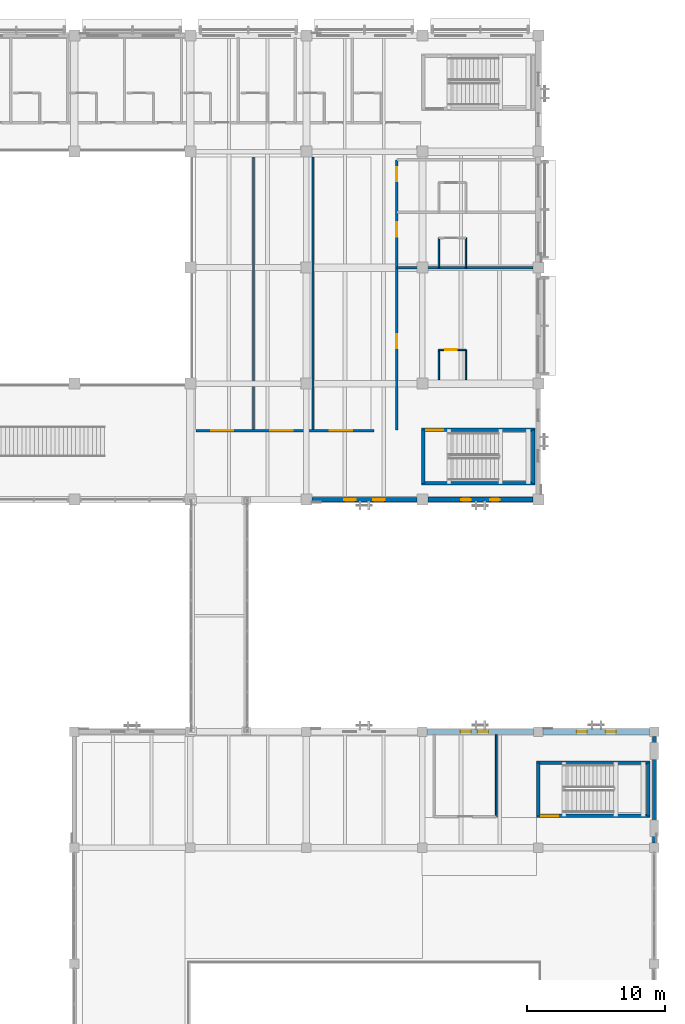
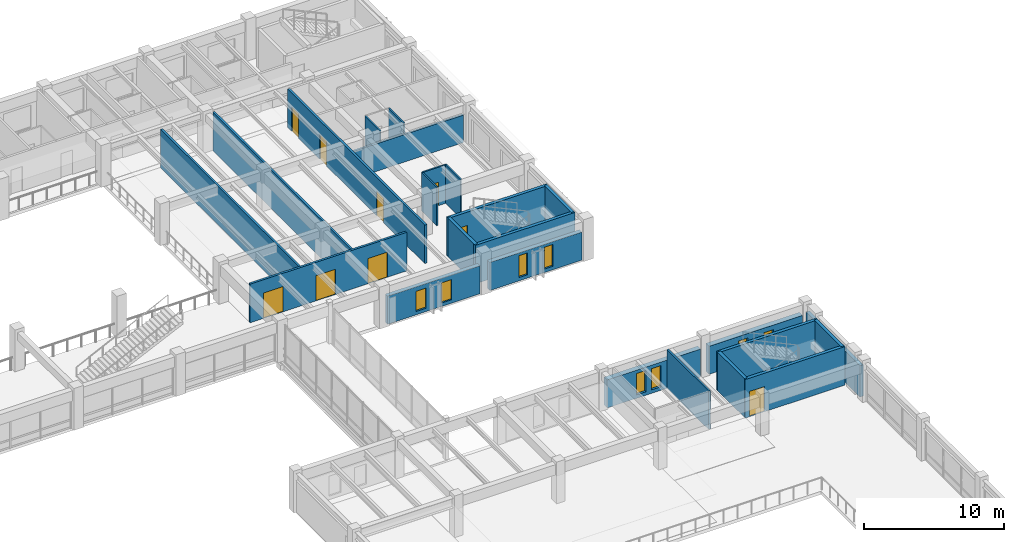
# One storey, part 80 of 118: 24 walls, 9 doors, 8 windows, 17 openings.
"""IFC4 building model written with IfcOpenShell, lengths in metres."""

from ifc_helpers import new_model, si_unit, direction, frame, frame_2d, origin, place, context, subcontext, project, spatial, rectangle, extrude, material, layer, layer_set, type_object, element, fill, save


model = new_model("IFC4")

# Units and contexts
model_context = context("Model", 3, precision=1e-05, world=origin(), true_north=direction((0.0, 1.0)))
body_context = subcontext(model_context, "Body", "Model", "MODEL_VIEW")
ifc_project = project(units=[si_unit("LENGTHUNIT", "METRE"), si_unit("AREAUNIT", "SQUARE_METRE"), si_unit("VOLUMEUNIT", "CUBIC_METRE"), si_unit("PLANEANGLEUNIT", "RADIAN"), si_unit("MASSUNIT", "GRAM", prefix="KILO")], contexts=[model_context])

# Site, building, storey
site_placement = place(None, origin())
site = spatial("IfcSite", under=ifc_project, at=site_placement, CompositionType="ELEMENT")
building_placement = place(site_placement, origin())
building = spatial("IfcBuilding", under=site, at=building_placement, Name="Cumbredor Promenade Congress Hotel", CompositionType="ELEMENT")
storey_placement = place(building_placement, frame((0.0, 0.0, 3.919921875)))
storey = spatial("IfcBuildingStorey", under=building, at=storey_placement, Name="L01", CompositionType="ELEMENT", Elevation=3.919921875)

# Wall, opening, door
ifc_material_1 = material(Name="Moisture-resistant gypsum board on steel studs", Category="steel")
ifc_layer_1 = layer(ifc_material_1, 0.114990234375, Name="Moisture-resistant gypsum board on steel studs", Category="steel")
ifc_layer_set_1 = layer_set([ifc_layer_1], Name="Moisture-resistant gypsum board on steel studs")
wall_type_1 = type_object("IfcWallType", Name="WL-BATH-115", PredefinedType="PARTITIONING", material=ifc_layer_set_1)
wall_1_placement = place(storey_placement, frame((169.199951171875, 94.85009765625, 0.0), z_axis=(0.0, 0.0, 1.0), x_axis=(1.0, 0.0, 0.0)))
wall_1 = element("IfcWall", 1, at=wall_1_placement, inside=storey, type_object=wall_type_1, Name="L01 Interior Partition W-L01-FEBH-E0101", PredefinedType="PARTITIONING", context=body_context, shape_type="SweptSolid", body=[
    extrude(rectangle(XDim=1.949951171875, YDim=0.114990234375, at=frame_2d((0.97509765625, 0.0))), origin(), (0.0, 0.0, 1.0), 3.360107421875),
])
opening_1_placement = place(wall_1_placement, frame((0.449951171875, 0.0, 0.0)))
opening_1 = element("IfcOpeningElement", 2, at=opening_1_placement, cuts=wall_1, Name="Opening ID-01", PredefinedType="OPENING", context=body_context, shape_type="SweptSolid", body=[
    extrude(rectangle(XDim=0.860107421875, YDim=2.050048828125, at=frame_2d((0.43017578125, 1.02490234375))), frame((0.0, 0.0673828125, 0.0), z_axis=(0.0, -1.0, 0.0), x_axis=(1.0, 0.0, 0.0)), (0.0, 0.0, 1.0), 0.135009765625),
])
ifc_material_2 = material(Name="Kiln-dried tropical hardwood", Category="wood")
door_type_1 = type_object("IfcDoorType", Name="DR-BATH-860", OperationType="NOTDEFINED", PredefinedType="DOOR", material=ifc_material_2)
door_1_placement = place(opening_1_placement, origin())
door_1 = element("IfcDoor", 3, at=door_1_placement, inside=storey, type_object=door_type_1, Name="L01 Interior Door W-L01-FEBH-E0101-01", OperationType="SINGLE_SWING_LEFT", OverallHeight=2.050048828125, OverallWidth=0.860107421875, PredefinedType="DOOR", context=body_context, shape_type="SweptSolid", body=[
    extrude(rectangle(XDim=0.860107421875, YDim=2.050048828125, at=frame_2d((0.43017578125, 1.02490234375))), frame((0.0, 0.02490234375, 0.0), z_axis=(0.0, -1.0, 0.0), x_axis=(1.0, 0.0, 0.0)), (0.0, 0.0, 1.0), 0.050048828125),
])
fill(opening_1, door_1)

# Walls
for number, where, z_axis, x_axis, name in (
    (4, (169.199951171875, 92.699951171875, 0.0), (0.0, 0.0, 1.0), (0.0, 1.0, 0.0), "L01 Interior Partition W-L01-FEBV1-E0101"),
    (5, (171.14990234375, 92.699951171875, 0.0), (0.0, 0.0, 1.0), (0.0, 1.0, 0.0), "L01 Interior Partition W-L01-FEBV2-E0101"),
):
    element("IfcWall", number, at=place(storey_placement, frame(where, z_axis=z_axis, x_axis=x_axis)), inside=storey, type_object=wall_type_1, Name=name, PredefinedType="PARTITIONING", context=body_context, shape_type="SweptSolid", body=[
        extrude(rectangle(XDim=2.150146484375, YDim=0.114990234375, at=frame_2d((1.0751953125, 0.0))), origin(), (0.0, 0.0, 1.0), 3.360107421875),
    ])
for number, where, z_axis, x_axis, name in (
    (6, (169.199951171875, 100.800048828125, 0.0), (0.0, 0.0, 1.0), (0.0, 1.0, 0.0), "L01 Interior Partition W-L01-FEBV1-E0102"),
    (7, (171.14990234375, 100.800048828125, 0.0), (0.0, 0.0, 1.0), (0.0, 1.0, 0.0), "L01 Interior Partition W-L01-FEBV2-E0102"),
):
    element("IfcWall", number, at=place(storey_placement, frame(where, z_axis=z_axis, x_axis=x_axis)), inside=storey, type_object=wall_type_1, Name=name, PredefinedType="PARTITIONING", context=body_context, shape_type="SweptSolid", body=[
        extrude(rectangle(XDim=2.14990234375, YDim=0.114990234375, at=frame_2d((1.074951171875, 0.0))), origin(), (0.0, 0.0, 1.0), 3.360107421875),
    ])

# Wall, openings, doors
ifc_material_3 = material(Name="Fire-rated hotel corridor wall")
ifc_layer_2 = layer(ifc_material_3, 0.179931640625, Name="Fire-rated hotel corridor wall")
ifc_layer_set_2 = layer_set([ifc_layer_2], Name="Fire-rated hotel corridor wall")
wall_type_2 = type_object("IfcWallType", Name="WL-CORR-180", PredefinedType="PARTITIONING", material=ifc_layer_set_2)
wall_2_placement = place(storey_placement, frame((151.60009765625, 89.0, 0.0), z_axis=(0.0, 0.0, 1.0), x_axis=(1.0, 0.0, 0.0)))
wall_2 = element("IfcWall", 8, at=wall_2_placement, inside=storey, type_object=wall_type_2, Name="L01 Interior Partition W-L01-V4-ES", PredefinedType="PARTITIONING", context=body_context, shape_type="SweptSolid", body=[
    extrude(rectangle(XDim=12.89990234375, YDim=0.179931640625, at=frame_2d((6.449951171875, 0.0))), origin(), (0.0, 0.0, 1.0), 3.360107421875),
])
opening_2_placement = place(wall_2_placement, frame((1.10009765625, 0.0, 0.0)))
opening_2 = element("IfcOpeningElement", 9, at=opening_2_placement, cuts=wall_2, Name="Opening FD-08", PredefinedType="OPENING", context=body_context, shape_type="SweptSolid", body=[
    extrude(rectangle(XDim=1.6201171875, YDim=2.199951171875, at=frame_2d((0.81005859375, 1.10009765625))), frame((0.0, 0.10009765625, 0.0), z_axis=(0.0, -1.0, 0.0), x_axis=(1.0, 0.0, 0.0)), (0.0, 0.0, 1.0), 0.199951171875),
])
opening_3_placement = place(wall_2_placement, frame((5.39990234375, 0.0, 0.0)))
opening_3 = element("IfcOpeningElement", 10, at=opening_3_placement, cuts=wall_2, Name="Opening FD-08", PredefinedType="OPENING", context=body_context, shape_type="SweptSolid", body=[
    extrude(rectangle(XDim=1.6201171875, YDim=2.199951171875, at=frame_2d((0.81005859375, 1.10009765625))), frame((0.0, 0.10009765625, 0.0), z_axis=(0.0, -1.0, 0.0), x_axis=(1.0, 0.0, 0.0)), (0.0, 0.0, 1.0), 0.199951171875),
])
opening_4_placement = place(wall_2_placement, frame((9.699951171875, 0.0, 0.0)))
opening_4 = element("IfcOpeningElement", 11, at=opening_4_placement, cuts=wall_2, Name="Opening FD-08", PredefinedType="OPENING", context=body_context, shape_type="SweptSolid", body=[
    extrude(rectangle(XDim=1.6201171875, YDim=2.199951171875, at=frame_2d((0.81005859375, 1.10009765625))), frame((0.0, 0.10009765625, 0.0), z_axis=(0.0, -1.0, 0.0), x_axis=(1.0, 0.0, 0.0)), (0.0, 0.0, 1.0), 0.199951171875),
])
ifc_material_4 = material(Name="Solid-core fire-rated tropical hardwood", Category="wood")
door_type_2 = type_object("IfcDoorType", Name="DR-DBL-FD60-1600", OperationType="DOUBLE_DOOR_SINGLE_SWING", PredefinedType="DOOR", material=ifc_material_4)
door_2_placement = place(opening_2_placement, origin())
door_2 = element("IfcDoor", 12, at=door_2_placement, inside=storey, type_object=door_type_2, Name="L01 Interior Door W-L01-V4-ES-01", OperationType="DOUBLE_DOOR_SINGLE_SWING", OverallHeight=2.199951171875, OverallWidth=1.6201171875, PredefinedType="DOOR", context=body_context, shape_type="SweptSolid", body=[
    extrude(rectangle(XDim=1.6201171875, YDim=2.199951171875, at=frame_2d((0.81005859375, 1.10009765625))), frame((0.0, 0.02490234375, 0.0), z_axis=(0.0, -1.0, 0.0), x_axis=(1.0, 0.0, 0.0)), (0.0, 0.0, 1.0), 0.050048828125),
])
fill(opening_2, door_2)
door_3_placement = place(opening_3_placement, origin())
door_3 = element("IfcDoor", 13, at=door_3_placement, inside=storey, type_object=door_type_2, Name="L01 Interior Door W-L01-V4-ES-02", OperationType="DOUBLE_DOOR_SINGLE_SWING", OverallHeight=2.199951171875, OverallWidth=1.6201171875, PredefinedType="DOOR", context=body_context, shape_type="SweptSolid", body=[
    extrude(rectangle(XDim=1.6201171875, YDim=2.199951171875, at=frame_2d((0.81005859375, 1.10009765625))), frame((0.0, 0.02490234375, 0.0), z_axis=(0.0, -1.0, 0.0), x_axis=(1.0, 0.0, 0.0)), (0.0, 0.0, 1.0), 0.050048828125),
])
fill(opening_3, door_3)
door_4_placement = place(opening_4_placement, origin())
door_4 = element("IfcDoor", 14, at=door_4_placement, inside=storey, type_object=door_type_2, Name="L01 Interior Door W-L01-V4-ES-03", OperationType="DOUBLE_DOOR_SINGLE_SWING", OverallHeight=2.199951171875, OverallWidth=1.6201171875, PredefinedType="DOOR", context=body_context, shape_type="SweptSolid", body=[
    extrude(rectangle(XDim=1.6201171875, YDim=2.199951171875, at=frame_2d((0.81005859375, 1.10009765625))), frame((0.0, 0.02490234375, 0.0), z_axis=(0.0, -1.0, 0.0), x_axis=(1.0, 0.0, 0.0)), (0.0, 0.0, 1.0), 0.050048828125),
])
fill(opening_4, door_4)

wall_3_placement = place(storey_placement, frame((166.14990234375, 89.050048828125, 0.0), z_axis=(0.0, 0.0, 1.0), x_axis=(0.0, 1.0, 0.0)))
wall_3 = element("IfcWall", 15, at=wall_3_placement, inside=storey, type_object=wall_type_2, Name="L01 Interior Partition W-L01-FECORRW", PredefinedType="PARTITIONING", context=body_context, shape_type="SweptSolid", body=[
    extrude(rectangle(XDim=19.550048828125, YDim=0.179931640625, at=frame_2d((9.77490234375, 0.0))), origin(), (0.0, 0.0, 1.0), 3.360107421875),
])
opening_5_placement = place(wall_3_placement, frame((5.89990234375, 0.0, 0.0)))
opening_5 = element("IfcOpeningElement", 16, at=opening_5_placement, cuts=wall_3, Name="Opening FD-02", PredefinedType="OPENING", context=body_context, shape_type="SweptSolid", body=[
    extrude(rectangle(XDim=1.02001953125, YDim=2.14990234375, at=frame_2d((0.510009765625, 1.074951171875))), frame((0.0, 0.10009765625, 0.0), z_axis=(0.0, -1.0, 0.0), x_axis=(1.0, 0.0, 0.0)), (0.0, 0.0, 1.0), 0.199951171875),
])
opening_6_placement = place(wall_3_placement, frame((14.0, 0.0, 0.0)))
opening_6 = element("IfcOpeningElement", 17, at=opening_6_placement, cuts=wall_3, Name="Opening FD-02", PredefinedType="OPENING", context=body_context, shape_type="SweptSolid", body=[
    extrude(rectangle(XDim=1.02001953125, YDim=2.14990234375, at=frame_2d((0.510009765625, 1.074951171875))), frame((0.0, 0.10009765625, 0.0), z_axis=(0.0, -1.0, 0.0), x_axis=(1.0, 0.0, 0.0)), (0.0, 0.0, 1.0), 0.199951171875),
])
opening_7_placement = place(wall_3_placement, frame((18.0, 0.0, 0.0)))
opening_7 = element("IfcOpeningElement", 18, at=opening_7_placement, cuts=wall_3, Name="Opening FD-02", PredefinedType="OPENING", context=body_context, shape_type="SweptSolid", body=[
    extrude(rectangle(XDim=1.02001953125, YDim=2.14990234375, at=frame_2d((0.510009765625, 1.074951171875))), frame((0.0, 0.10009765625, 0.0), z_axis=(0.0, -1.0, 0.0), x_axis=(1.0, 0.0, 0.0)), (0.0, 0.0, 1.0), 0.199951171875),
])
door_type_3 = type_object("IfcDoorType", Name="DR-GUEST-FD30-1000", OperationType="NOTDEFINED", PredefinedType="DOOR", material=ifc_material_4)
door_5_placement = place(opening_5_placement, origin())
door_5 = element("IfcDoor", 19, at=door_5_placement, inside=storey, type_object=door_type_3, Name="L01 Interior Door W-L01-FECORRW-01", OperationType="SINGLE_SWING_RIGHT", OverallHeight=2.14990234375, OverallWidth=1.02001953125, PredefinedType="DOOR", context=body_context, shape_type="SweptSolid", body=[
    extrude(rectangle(XDim=1.02001953125, YDim=2.14990234375, at=frame_2d((0.510009765625, 1.074951171875))), frame((0.0, 0.02490234375, 0.0), z_axis=(0.0, -1.0, 0.0), x_axis=(1.0, 0.0, 0.0)), (0.0, 0.0, 1.0), 0.050048828125),
])
fill(opening_5, door_5)
door_6_placement = place(opening_6_placement, origin())
door_6 = element("IfcDoor", 20, at=door_6_placement, inside=storey, type_object=door_type_3, Name="L01 Interior Door W-L01-FECORRW-02", OperationType="SINGLE_SWING_LEFT", OverallHeight=2.14990234375, OverallWidth=1.02001953125, PredefinedType="DOOR", context=body_context, shape_type="SweptSolid", body=[
    extrude(rectangle(XDim=1.02001953125, YDim=2.14990234375, at=frame_2d((0.510009765625, 1.074951171875))), frame((0.0, 0.02490234375, 0.0), z_axis=(0.0, -1.0, 0.0), x_axis=(1.0, 0.0, 0.0)), (0.0, 0.0, 1.0), 0.050048828125),
])
fill(opening_6, door_6)
door_7_placement = place(opening_7_placement, origin())
door_7 = element("IfcDoor", 21, at=door_7_placement, inside=storey, type_object=door_type_3, Name="L01 Interior Door W-L01-FECORRW-03", OperationType="SINGLE_SWING_RIGHT", OverallHeight=2.14990234375, OverallWidth=1.02001953125, PredefinedType="DOOR", context=body_context, shape_type="SweptSolid", body=[
    extrude(rectangle(XDim=1.02001953125, YDim=2.14990234375, at=frame_2d((0.510009765625, 1.074951171875))), frame((0.0, 0.02490234375, 0.0), z_axis=(0.0, -1.0, 0.0), x_axis=(1.0, 0.0, 0.0)), (0.0, 0.0, 1.0), 0.050048828125),
])
fill(opening_7, door_7)

# Wall
ifc_material_5 = material(Name="Concrete C40/50", Category="concrete")
ifc_layer_3 = layer(ifc_material_5, 0.280029296875, Name="Concrete C40/50", Category="concrete")
ifc_layer_set_3 = layer_set([ifc_layer_3], Name="Concrete C40/50")
wall_type_3 = type_object("IfcWallType", Name="WL-EXT-280", PredefinedType="SOLIDWALL", material=ifc_layer_set_3)
wall_4_placement = place(storey_placement, frame((184.800048828125, 59.15087890625, 0.0), z_axis=(0.0, 0.0, 1.0), x_axis=(0.0, 1.0, 0.0)))
element("IfcWall", 22, at=wall_4_placement, inside=storey, type_object=wall_type_3, Name="L01 Grand Ballroom Pavilion East Envelope Wall 7", PredefinedType="SOLIDWALL", context=body_context, shape_type="SweptSolid", body=[
    extrude(rectangle(XDim=7.6982421875, YDim=0.280029296875, at=frame_2d((3.84912109375, 0.0))), origin(), (0.0, 0.0, 1.0), 2.734130859375),
])

# Wall, openings, windows
ifc_layer_4 = layer(ifc_material_5, 0.324951171875, Name="Concrete C40/50", Category="concrete")
ifc_layer_set_4 = layer_set([ifc_layer_4], Name="Concrete C40/50")
wall_type_4 = type_object("IfcWallType", Name="WL-EXT-325", PredefinedType="SOLIDWALL", material=ifc_layer_set_4)
wall_5_placement = place(storey_placement, frame((160.0009765625, 84.0, 0.0), z_axis=(0.0, 0.0, 1.0), x_axis=(1.0, 0.0, 0.0)))
wall_5 = element("IfcWall", 23, at=wall_5_placement, inside=storey, type_object=wall_type_4, Name="L01 Pre-Function and Breakout Meeting Forum South Envelope Wall 9", PredefinedType="SOLIDWALL", context=body_context, shape_type="SweptSolid", body=[
    extrude(rectangle(XDim=7.59814453125, YDim=0.324951171875, at=frame_2d((3.799072265625, 0.0))), origin(), (0.0, 0.0, 1.0), 2.445068359375),
])
opening_8_placement = place(wall_5_placement, frame((2.3291015625, 0.0, 0.300048828125)))
opening_8 = element("IfcOpeningElement", 24, at=opening_8_placement, cuts=wall_5, Name="Opening WN-62", PredefinedType="OPENING", context=body_context, shape_type="SweptSolid", body=[
    extrude(rectangle(XDim=0.840087890625, YDim=1.75, at=frame_2d((0.419921875, 0.875))), frame((0.0, 0.17236328125, 0.0), z_axis=(0.0, -1.0, 0.0), x_axis=(1.0, 0.0, 0.0)), (0.0, 0.0, 1.0), 0.344970703125),
])
opening_9_placement = place(wall_5_placement, frame((4.428955078125, 0.0, 0.300048828125)))
opening_9 = element("IfcOpeningElement", 25, at=opening_9_placement, cuts=wall_5, Name="Opening WN-62", PredefinedType="OPENING", context=body_context, shape_type="SweptSolid", body=[
    extrude(rectangle(XDim=0.840087890625, YDim=1.75, at=frame_2d((0.419921875, 0.875))), frame((0.0, 0.17236328125, 0.0), z_axis=(0.0, -1.0, 0.0), x_axis=(1.0, 0.0, 0.0)), (0.0, 0.0, 1.0), 0.344970703125),
])
ifc_material_6 = material(Name="Thermally broken anodized aluminium and low-E glass", Category="aluminium")
window_type_1 = type_object("IfcWindowType", Name="Vertical Slot Window WN-62 840x1750", PartitioningType="SINGLE_PANEL", PredefinedType="WINDOW", material=ifc_material_6)
window_1_placement = place(opening_8_placement, origin())
window_1 = element("IfcWindow", 26, at=window_1_placement, inside=storey, type_object=window_type_1, Name="L01 Vertical Slot Window 0153", OverallHeight=1.75, OverallWidth=0.840087890625, PartitioningType="SINGLE_PANEL", PredefinedType="WINDOW", context=body_context, shape_type="SweptSolid", body=[
    extrude(rectangle(XDim=0.840087890625, YDim=1.75, at=frame_2d((0.419921875, 0.875))), frame((0.0, 0.030029296875, 0.0), z_axis=(0.0, -1.0, 0.0), x_axis=(1.0, 0.0, 0.0)), (0.0, 0.0, 1.0), 0.06005859375),
])
fill(opening_8, window_1)
window_2_placement = place(opening_9_placement, origin())
window_2 = element("IfcWindow", 27, at=window_2_placement, inside=storey, type_object=window_type_1, Name="L01 Vertical Slot Window 0154", OverallHeight=1.75, OverallWidth=0.840087890625, PartitioningType="SINGLE_PANEL", PredefinedType="WINDOW", context=body_context, shape_type="SweptSolid", body=[
    extrude(rectangle(XDim=0.840087890625, YDim=1.75, at=frame_2d((0.419921875, 0.875))), frame((0.0, 0.030029296875, 0.0), z_axis=(0.0, -1.0, 0.0), x_axis=(1.0, 0.0, 0.0)), (0.0, 0.0, 1.0), 0.06005859375),
])
fill(opening_9, window_2)

ifc_layer_5 = layer(ifc_material_5, 0.35009765625, Name="Concrete C40/50", Category="concrete")
ifc_layer_set_5 = layer_set([ifc_layer_5], Name="Concrete C40/50")
wall_type_5 = type_object("IfcWallType", Name="WL-EXT-350", PredefinedType="SOLIDWALL", material=ifc_layer_set_5)
wall_6_placement = place(storey_placement, frame((168.40087890625, 84.0, 0.0), z_axis=(0.0, 0.0, 1.0), x_axis=(1.0, 0.0, 0.0)))
wall_6 = element("IfcWall", 28, at=wall_6_placement, inside=storey, type_object=wall_type_5, Name="L01 Pre-Function and Breakout Meeting Forum South Envelope Wall 10", PredefinedType="SOLIDWALL", context=body_context, shape_type="SweptSolid", body=[
    extrude(rectangle(XDim=7.59814453125, YDim=0.35009765625, at=frame_2d((3.799072265625, 0.0))), origin(), (0.0, 0.0, 1.0), 2.445068359375),
])
opening_10_placement = place(wall_6_placement, frame((2.39892578125, 0.0, 0.300048828125)))
opening_10 = element("IfcOpeningElement", 29, at=opening_10_placement, cuts=wall_6, Name="Opening WN-65", PredefinedType="OPENING", context=body_context, shape_type="SweptSolid", body=[
    extrude(rectangle(XDim=0.699951171875, YDim=1.89990234375, at=frame_2d((0.35009765625, 0.949951171875))), frame((0.0, 0.18505859375, 0.0), z_axis=(0.0, -1.0, 0.0), x_axis=(1.0, 0.0, 0.0)), (0.0, 0.0, 1.0), 0.3701171875),
])
opening_11_placement = place(wall_6_placement, frame((4.4990234375, 0.0, 0.300048828125)))
opening_11 = element("IfcOpeningElement", 30, at=opening_11_placement, cuts=wall_6, Name="Opening WN-65", PredefinedType="OPENING", context=body_context, shape_type="SweptSolid", body=[
    extrude(rectangle(XDim=0.699951171875, YDim=1.89990234375, at=frame_2d((0.35009765625, 0.949951171875))), frame((0.0, 0.18505859375, 0.0), z_axis=(0.0, -1.0, 0.0), x_axis=(1.0, 0.0, 0.0)), (0.0, 0.0, 1.0), 0.3701171875),
])
window_type_2 = type_object("IfcWindowType", Name="Vertical Slot Window WN-65 700x1900", PartitioningType="SINGLE_PANEL", PredefinedType="WINDOW", material=ifc_material_6)
window_3_placement = place(opening_10_placement, origin())
window_3 = element("IfcWindow", 31, at=window_3_placement, inside=storey, type_object=window_type_2, Name="L01 Vertical Slot Window 0155", OverallHeight=1.89990234375, OverallWidth=0.699951171875, PartitioningType="SINGLE_PANEL", PredefinedType="WINDOW", context=body_context, shape_type="SweptSolid", body=[
    extrude(rectangle(XDim=0.699951171875, YDim=1.89990234375, at=frame_2d((0.35009765625, 0.949951171875))), frame((0.0, 0.030029296875, 0.0), z_axis=(0.0, -1.0, 0.0), x_axis=(1.0, 0.0, 0.0)), (0.0, 0.0, 1.0), 0.06005859375),
])
fill(opening_10, window_3)
window_4_placement = place(opening_11_placement, origin())
window_4 = element("IfcWindow", 32, at=window_4_placement, inside=storey, type_object=window_type_2, Name="L01 Vertical Slot Window 0156", OverallHeight=1.89990234375, OverallWidth=0.699951171875, PartitioningType="SINGLE_PANEL", PredefinedType="WINDOW", context=body_context, shape_type="SweptSolid", body=[
    extrude(rectangle(XDim=0.699951171875, YDim=1.89990234375, at=frame_2d((0.35009765625, 0.949951171875))), frame((0.0, 0.030029296875, 0.0), z_axis=(0.0, -1.0, 0.0), x_axis=(1.0, 0.0, 0.0)), (0.0, 0.0, 1.0), 0.06005859375),
])
fill(opening_11, window_4)

ifc_layer_6 = layer(ifc_material_5, 0.425048828125, Name="Concrete C40/50", Category="concrete")
ifc_layer_set_6 = layer_set([ifc_layer_6], Name="Concrete C40/50")
wall_type_6 = type_object("IfcWallType", Name="WL-EXT-425", PredefinedType="SOLIDWALL", material=ifc_layer_set_6)
wall_7_placement = place(storey_placement, frame((168.35107421875, 67.199951171875, 0.0), z_axis=(0.0, 0.0, 1.0), x_axis=(1.0, 0.0, 0.0)))
wall_7 = element("IfcWall", 33, at=wall_7_placement, inside=storey, type_object=wall_type_6, Name="L01 Grand Ballroom Pavilion North Envelope Wall 4", PredefinedType="SOLIDWALL", context=body_context, shape_type="SweptSolid", body=[
    extrude(rectangle(XDim=7.697998046875, YDim=0.425048828125, at=frame_2d((3.84912109375, 0.0))), origin(), (0.0, 0.0, 1.0), 2.445068359375),
])
opening_12_placement = place(wall_7_placement, frame((2.408935546875, 0.0, 0.300048828125)))
opening_12 = element("IfcOpeningElement", 34, at=opening_12_placement, cuts=wall_7, Name="Opening WN-46", PredefinedType="OPENING", context=body_context, shape_type="SweptSolid", body=[
    extrude(rectangle(XDim=0.780029296875, YDim=1.85009765625, at=frame_2d((0.39013671875, 0.925048828125))), frame((0.0, 0.22265625, 0.0), z_axis=(0.0, -1.0, 0.0), x_axis=(1.0, 0.0, 0.0)), (0.0, 0.0, 1.0), 0.445068359375),
])
opening_13_placement = place(wall_7_placement, frame((3.658935546875, 0.0, 0.300048828125)))
opening_13 = element("IfcOpeningElement", 35, at=opening_13_placement, cuts=wall_7, Name="Opening WN-46", PredefinedType="OPENING", context=body_context, shape_type="SweptSolid", body=[
    extrude(rectangle(XDim=0.780029296875, YDim=1.85009765625, at=frame_2d((0.39013671875, 0.925048828125))), frame((0.0, 0.22265625, 0.0), z_axis=(0.0, -1.0, 0.0), x_axis=(1.0, 0.0, 0.0)), (0.0, 0.0, 1.0), 0.445068359375),
])
window_type_3 = type_object("IfcWindowType", Name="Vertical Slot Window WN-46 780x1850", PartitioningType="SINGLE_PANEL", PredefinedType="WINDOW", material=ifc_material_6)
window_5_placement = place(opening_12_placement, origin())
window_5 = element("IfcWindow", 36, at=window_5_placement, inside=storey, type_object=window_type_3, Name="L01 Vertical Slot Window 0115", OverallHeight=1.85009765625, OverallWidth=0.780029296875, PartitioningType="SINGLE_PANEL", PredefinedType="WINDOW", context=body_context, shape_type="SweptSolid", body=[
    extrude(rectangle(XDim=0.780029296875, YDim=1.85009765625, at=frame_2d((0.39013671875, 0.925048828125))), frame((0.0, 0.030029296875, 0.0), z_axis=(0.0, -1.0, 0.0), x_axis=(1.0, 0.0, 0.0)), (0.0, 0.0, 1.0), 0.06005859375),
])
fill(opening_12, window_5)
window_6_placement = place(opening_13_placement, origin())
window_6 = element("IfcWindow", 37, at=window_6_placement, inside=storey, type_object=window_type_3, Name="L01 Vertical Slot Window 0116", OverallHeight=1.85009765625, OverallWidth=0.780029296875, PartitioningType="SINGLE_PANEL", PredefinedType="WINDOW", context=body_context, shape_type="SweptSolid", body=[
    extrude(rectangle(XDim=0.780029296875, YDim=1.85009765625, at=frame_2d((0.39013671875, 0.925048828125))), frame((0.0, 0.030029296875, 0.0), z_axis=(0.0, -1.0, 0.0), x_axis=(1.0, 0.0, 0.0)), (0.0, 0.0, 1.0), 0.06005859375),
])
fill(opening_13, window_6)

ifc_layer_7 = layer(ifc_material_5, 0.449951171875, Name="Concrete C40/50", Category="concrete")
ifc_layer_set_7 = layer_set([ifc_layer_7], Name="Concrete C40/50")
wall_type_7 = type_object("IfcWallType", Name="WL-EXT-450", PredefinedType="SOLIDWALL", material=ifc_layer_set_7)
wall_8_placement = place(storey_placement, frame((176.7509765625, 67.199951171875, 0.0), z_axis=(0.0, 0.0, 1.0), x_axis=(1.0, 0.0, 0.0)))
wall_8 = element("IfcWall", 38, at=wall_8_placement, inside=storey, type_object=wall_type_7, Name="L01 Grand Ballroom Pavilion North Envelope Wall 5", PredefinedType="SOLIDWALL", context=body_context, shape_type="SweptSolid", body=[
    extrude(rectangle(XDim=7.697998046875, YDim=0.449951171875, at=frame_2d((3.84912109375, 0.0))), origin(), (0.0, 0.0, 1.0), 2.445068359375),
])
opening_14_placement = place(wall_8_placement, frame((2.4189453125, 0.0, 0.300048828125)))
opening_14 = element("IfcOpeningElement", 39, at=opening_14_placement, cuts=wall_8, Name="Opening WN-61", PredefinedType="OPENING", context=body_context, shape_type="SweptSolid", body=[
    extrude(rectangle(XDim=0.760009765625, YDim=1.75, at=frame_2d((0.3798828125, 0.875))), frame((0.0, 0.23486328125, 0.0), z_axis=(0.0, -1.0, 0.0), x_axis=(1.0, 0.0, 0.0)), (0.0, 0.0, 1.0), 0.469970703125),
])
opening_15_placement = place(wall_8_placement, frame((4.51904296875, 0.0, 0.300048828125)))
opening_15 = element("IfcOpeningElement", 40, at=opening_15_placement, cuts=wall_8, Name="Opening WN-61", PredefinedType="OPENING", context=body_context, shape_type="SweptSolid", body=[
    extrude(rectangle(XDim=0.760009765625, YDim=1.75, at=frame_2d((0.3798828125, 0.875))), frame((0.0, 0.23486328125, 0.0), z_axis=(0.0, -1.0, 0.0), x_axis=(1.0, 0.0, 0.0)), (0.0, 0.0, 1.0), 0.469970703125),
])
window_type_4 = type_object("IfcWindowType", Name="Vertical Slot Window WN-61 760x1750", PartitioningType="SINGLE_PANEL", PredefinedType="WINDOW", material=ifc_material_6)
window_7_placement = place(opening_14_placement, origin())
window_7 = element("IfcWindow", 41, at=window_7_placement, inside=storey, type_object=window_type_4, Name="L01 Vertical Slot Window 0117", OverallHeight=1.75, OverallWidth=0.760009765625, PartitioningType="SINGLE_PANEL", PredefinedType="WINDOW", context=body_context, shape_type="SweptSolid", body=[
    extrude(rectangle(XDim=0.760009765625, YDim=1.75, at=frame_2d((0.3798828125, 0.875))), frame((0.0, 0.030029296875, 0.0), z_axis=(0.0, -1.0, 0.0), x_axis=(1.0, 0.0, 0.0)), (0.0, 0.0, 1.0), 0.06005859375),
])
fill(opening_14, window_7)
window_8_placement = place(opening_15_placement, origin())
window_8 = element("IfcWindow", 42, at=window_8_placement, inside=storey, type_object=window_type_4, Name="L01 Vertical Slot Window 0118", OverallHeight=1.75, OverallWidth=0.760009765625, PartitioningType="SINGLE_PANEL", PredefinedType="WINDOW", context=body_context, shape_type="SweptSolid", body=[
    extrude(rectangle(XDim=0.760009765625, YDim=1.75, at=frame_2d((0.3798828125, 0.875))), frame((0.0, 0.030029296875, 0.0), z_axis=(0.0, -1.0, 0.0), x_axis=(1.0, 0.0, 0.0)), (0.0, 0.0, 1.0), 0.06005859375),
])
fill(opening_15, window_8)

# Wall
ifc_material_7 = material(Name="Acoustic gypsum partition on steel studs", Category="steel")
ifc_layer_8 = layer(ifc_material_7, 0.139892578125, Name="Acoustic gypsum partition on steel studs", Category="steel")
ifc_layer_set_8 = layer_set([ifc_layer_8], Name="Acoustic gypsum partition on steel studs")
wall_type_8 = type_object("IfcWallType", Name="WL-PART-140", PredefinedType="PARTITIONING", material=ifc_layer_set_8)
wall_9_placement = place(storey_placement, frame((173.35009765625, 61.050048828125, 0.0), z_axis=(0.0, 0.0, 1.0), x_axis=(0.0, 1.0, 0.0)))
element("IfcWall", 43, at=wall_9_placement, inside=storey, type_object=wall_type_8, Name="L01 Interior Partition W-L01-V2-WC-E", PredefinedType="PARTITIONING", context=body_context, shape_type="SweptSolid", body=[
    extrude(rectangle(XDim=5.9375, YDim=0.139892578125, at=frame_2d((2.96875, 0.0))), origin(), (0.0, 0.0, 1.0), 3.360107421875),
])

# Wall, opening, door
ifc_layer_9 = layer(ifc_material_5, 0.2548828125, Name="Concrete C40/50", Category="concrete")
ifc_layer_set_9 = layer_set([ifc_layer_9], Name="Concrete C40/50")
wall_type_9 = type_object("IfcWallType", Name="WL-SHAFT-250", PredefinedType="SOLIDWALL", material=ifc_layer_set_9)
wall_10_placement = place(storey_placement, frame((176.25244140625, 61.10009765625, 0.0), z_axis=(0.0, 0.0, 1.0), x_axis=(1.0, 0.0, 0.0)))
wall_10 = element("IfcWall", 44, at=wall_10_placement, inside=storey, type_object=wall_type_9, Name="STAIR-ST-10-L01 Shaft Wall South", PredefinedType="SOLIDWALL", context=body_context, shape_type="SweptSolid", body=[
    extrude(rectangle(XDim=8.22509765625, YDim=0.2548828125, at=frame_2d((4.112548828125, 0.0))), origin(), (0.0, 0.0, 1.0), 3.360107421875),
])
opening_16_placement = place(wall_10_placement, frame((0.35009765625, 0.0, 0.0)))
opening_16 = element("IfcOpeningElement", 45, at=opening_16_placement, cuts=wall_10, Name="Opening SD-02", PredefinedType="OPENING", context=body_context, shape_type="SweptSolid", body=[
    extrude(rectangle(XDim=1.25, YDim=2.199951171875, at=frame_2d((0.625, 1.10009765625))), frame((0.0, 0.137451171875, 0.0), z_axis=(0.0, -1.0, 0.0), x_axis=(1.0, 0.0, 0.0)), (0.0, 0.0, 1.0), 0.27490234375),
])
ifc_material_8 = material(Name="Painted galvanized steel fire door", Category="steel")
door_type_4 = type_object("IfcDoorType", Name="DR-STAIR-FD90-1250", OperationType="NOTDEFINED", PredefinedType="DOOR", material=ifc_material_8)
door_8_placement = place(opening_16_placement, origin())
door_8 = element("IfcDoor", 46, at=door_8_placement, inside=storey, type_object=door_type_4, Name="L01 Protected Exit Stair ST-10 Door", OperationType="SINGLE_SWING_RIGHT", OverallHeight=2.199951171875, OverallWidth=1.25, PredefinedType="DOOR", context=body_context, shape_type="SweptSolid", body=[
    extrude(rectangle(XDim=1.25, YDim=2.199951171875, at=frame_2d((0.625, 1.10009765625))), frame((0.0, 0.02490234375, 0.0), z_axis=(0.0, -1.0, 0.0), x_axis=(1.0, 0.0, 0.0)), (0.0, 0.0, 1.0), 0.050048828125),
])
fill(opening_16, door_8)

# Walls
wall_11_placement = place(storey_placement, frame((176.25244140625, 64.949951171875, 0.0), z_axis=(0.0, 0.0, 1.0), x_axis=(1.0, 0.0, 0.0)))
element("IfcWall", 47, at=wall_11_placement, inside=storey, type_object=wall_type_9, Name="STAIR-ST-10-L01 Shaft Wall North", PredefinedType="SOLIDWALL", context=body_context, shape_type="SweptSolid", body=[
    extrude(rectangle(XDim=8.22509765625, YDim=0.2548828125, at=frame_2d((4.112548828125, 0.0))), origin(), (0.0, 0.0, 1.0), 3.360107421875),
])
for number, where, z_axis, x_axis, name in (
    (48, (176.3798828125, 61.10009765625, 0.0), (0.0, 0.0, 1.0), (0.0, 1.0, 0.0), "STAIR-ST-10-L01 Shaft Wall West"),
    (49, (184.35009765625, 61.10009765625, 0.0), (0.0, 0.0, 1.0), (0.0, 1.0, 0.0), "STAIR-ST-10-L01 Shaft Wall East"),
):
    element("IfcWall", number, at=place(storey_placement, frame(where, z_axis=z_axis, x_axis=x_axis)), inside=storey, type_object=wall_type_9, Name=name, PredefinedType="SOLIDWALL", context=body_context, shape_type="SweptSolid", body=[
        extrude(rectangle(XDim=3.849853515625, YDim=0.2548828125, at=frame_2d((1.9248046875, 0.0))), origin(), (0.0, 0.0, 1.0), 3.360107421875),
    ])
wall_12_placement = place(storey_placement, frame((167.922607421875, 85.179931640625, 0.0), z_axis=(0.0, 0.0, 1.0), x_axis=(1.0, 0.0, 0.0)))
element("IfcWall", 50, at=wall_12_placement, inside=storey, type_object=wall_type_9, Name="STAIR-ST-14-L01 Shaft Wall South", PredefinedType="SOLIDWALL", context=body_context, shape_type="SweptSolid", body=[
    extrude(rectangle(XDim=8.224853515625, YDim=0.2548828125, at=frame_2d((4.1123046875, 0.0))), origin(), (0.0, 0.0, 1.0), 3.360107421875),
])

# Wall, opening, door
wall_13_placement = place(storey_placement, frame((167.922607421875, 89.050048828125, 0.0), z_axis=(0.0, 0.0, 1.0), x_axis=(1.0, 0.0, 0.0)))
wall_13 = element("IfcWall", 51, at=wall_13_placement, inside=storey, type_object=wall_type_9, Name="STAIR-ST-14-L01 Shaft Wall North", PredefinedType="SOLIDWALL", context=body_context, shape_type="SweptSolid", body=[
    extrude(rectangle(XDim=8.224853515625, YDim=0.2548828125, at=frame_2d((4.1123046875, 0.0))), origin(), (0.0, 0.0, 1.0), 3.360107421875),
])
opening_17_placement = place(wall_13_placement, frame((0.35009765625, 0.0, 0.0)))
opening_17 = element("IfcOpeningElement", 52, at=opening_17_placement, cuts=wall_13, Name="Opening SD-02", PredefinedType="OPENING", context=body_context, shape_type="SweptSolid", body=[
    extrude(rectangle(XDim=1.25, YDim=2.199951171875, at=frame_2d((0.625, 1.10009765625))), frame((0.0, 0.137451171875, 0.0), z_axis=(0.0, -1.0, 0.0), x_axis=(1.0, 0.0, 0.0)), (0.0, 0.0, 1.0), 0.27490234375),
])
door_9_placement = place(opening_17_placement, origin())
door_9 = element("IfcDoor", 53, at=door_9_placement, inside=storey, type_object=door_type_4, Name="L01 Protected Exit Stair ST-14 Door", OperationType="SINGLE_SWING_LEFT", OverallHeight=2.199951171875, OverallWidth=1.25, PredefinedType="DOOR", context=body_context, shape_type="SweptSolid", body=[
    extrude(rectangle(XDim=1.25, YDim=2.199951171875, at=frame_2d((0.625, 1.10009765625))), frame((0.0, 0.02490234375, 0.0), z_axis=(0.0, -1.0, 0.0), x_axis=(1.0, 0.0, 0.0)), (0.0, 0.0, 1.0), 0.050048828125),
])
fill(opening_17, door_9)

# Walls
for number, where, z_axis, x_axis, name in (
    (54, (168.050048828125, 85.179931640625, 0.0), (0.0, 0.0, 1.0), (0.0, 1.0, 0.0), "STAIR-ST-14-L01 Shaft Wall West"),
    (55, (176.02001953125, 85.179931640625, 0.0), (0.0, 0.0, 1.0), (0.0, 1.0, 0.0), "STAIR-ST-14-L01 Shaft Wall East"),
):
    element("IfcWall", number, at=place(storey_placement, frame(where, z_axis=z_axis, x_axis=x_axis)), inside=storey, type_object=wall_type_9, Name=name, PredefinedType="SOLIDWALL", context=body_context, shape_type="SweptSolid", body=[
        extrude(rectangle(XDim=3.8701171875, YDim=0.2548828125, at=frame_2d((1.93505859375, 0.0))), origin(), (0.0, 0.0, 1.0), 3.360107421875),
    ])
ifc_material_9 = material(Name="Fire-rated acoustic double-stud partition")
ifc_layer_10 = layer(ifc_material_9, 0.1650390625, Name="Fire-rated acoustic double-stud partition")
ifc_layer_set_10 = layer_set([ifc_layer_10], Name="Fire-rated acoustic double-stud partition")
wall_type_10 = type_object("IfcWallType", Name="WL-UNIT-165", PredefinedType="PARTITIONING", material=ifc_layer_set_10)
for number, where, z_axis, x_axis, name in (
    (56, (155.780029296875, 89.0, 0.0), (0.0, 0.0, 1.0), (0.0, 1.0, 0.0), "L01 Interior Partition W-L01-V4-EDIV-1"),
    (57, (160.080078125, 89.0, 0.0), (0.0, 0.0, 1.0), (0.0, 1.0, 0.0), "L01 Interior Partition W-L01-V4-EDIV-2"),
):
    element("IfcWall", number, at=place(storey_placement, frame(where, z_axis=z_axis, x_axis=x_axis)), inside=storey, type_object=wall_type_10, Name=name, PredefinedType="PARTITIONING", context=body_context, shape_type="SweptSolid", body=[
        extrude(rectangle(XDim=19.800048828125, YDim=0.1650390625, at=frame_2d((9.89990234375, 0.0))), origin(), (0.0, 0.0, 1.0), 3.360107421875),
    ])
wall_14_placement = place(storey_placement, frame((166.14990234375, 100.800048828125, 0.0), z_axis=(0.0, 0.0, 1.0), x_axis=(1.0, 0.0, 0.0)))
element("IfcWall", 58, at=wall_14_placement, inside=storey, type_object=wall_type_10, Name="L01 Interior Partition W-L01-FEDIV-1", PredefinedType="PARTITIONING", context=body_context, shape_type="SweptSolid", body=[
    extrude(rectangle(XDim=9.85009765625, YDim=0.1650390625, at=frame_2d((4.925048828125, 0.0))), origin(), (0.0, 0.0, 1.0), 2.39501953125),
])

save(model, "model.ifc")
